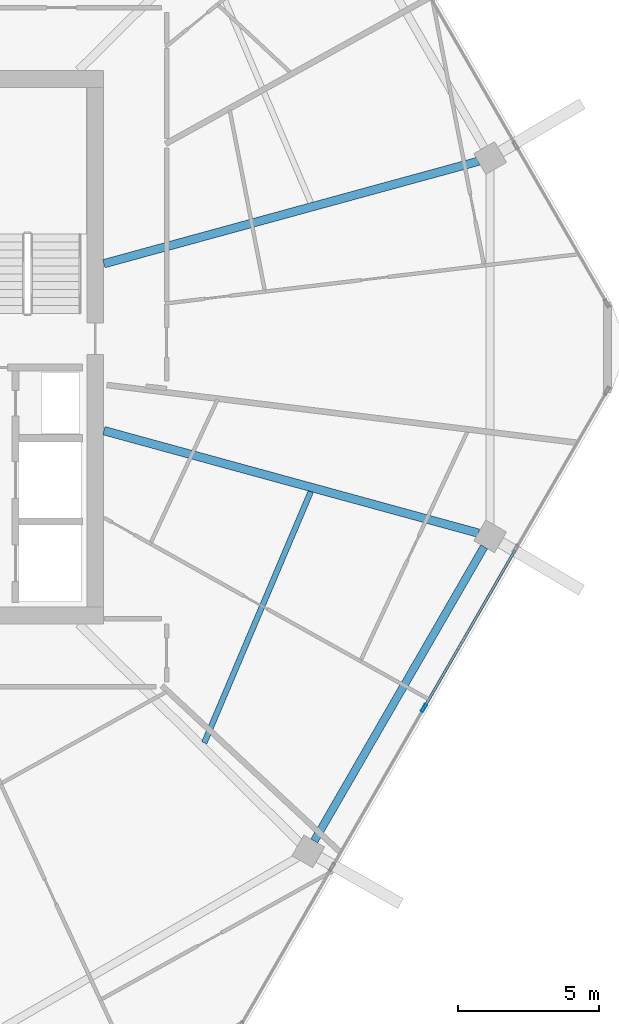
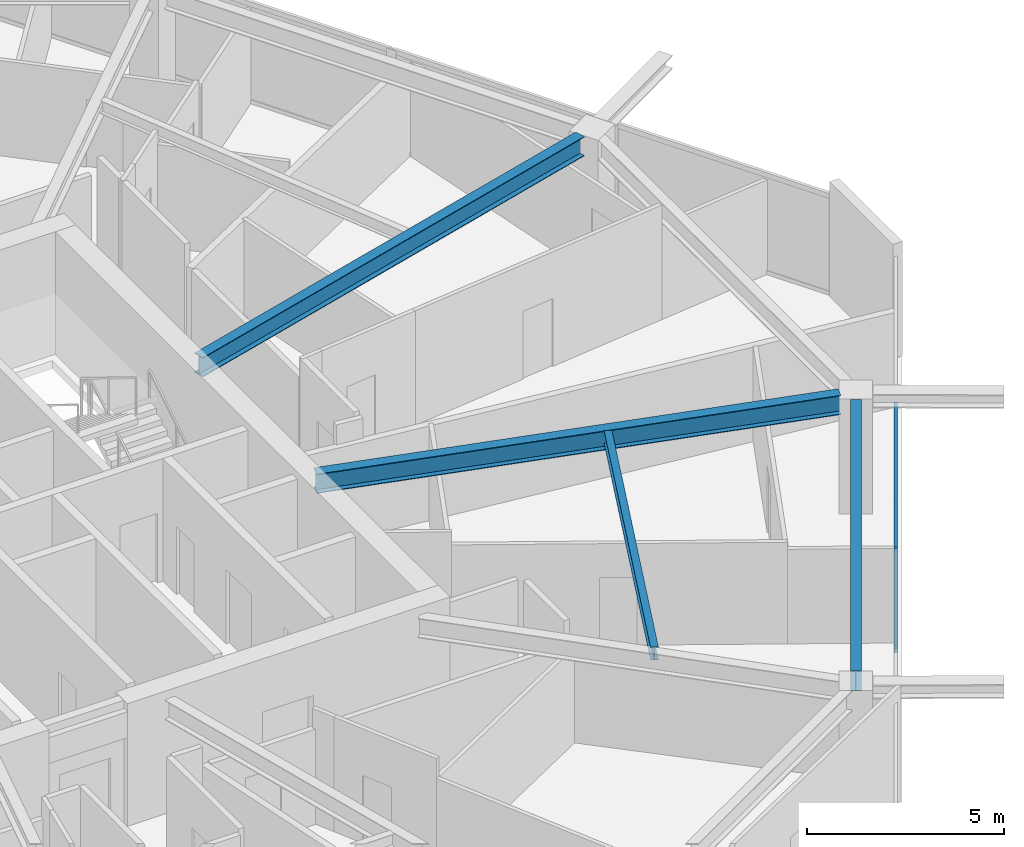
# One storey, part 9 of 27: 4 beams, 3 members, 1 element without a shape of its own.
"""IFC4 building model written with IfcOpenShell, lengths in metres."""

from ifc_helpers import new_model, si_unit, direction, frame, origin, origin_2d, place, context, subcontext, project, spatial, hollow_rectangle, i_section, extrude, material, material_profile, profile_set, type_object, element, aggregate, save


model = new_model("IFC4")

# Units and contexts
model_context = context("Model", 3, precision=1e-05, world=origin(), true_north=direction((0.0, 1.0)))
body_context = subcontext(model_context, "Body", "Model", "MODEL_VIEW")
ifc_project = project(units=[si_unit("LENGTHUNIT", "METRE"), si_unit("AREAUNIT", "SQUARE_METRE"), si_unit("VOLUMEUNIT", "CUBIC_METRE"), si_unit("PLANEANGLEUNIT", "RADIAN"), si_unit("MASSUNIT", "GRAM", prefix="KILO")], contexts=[model_context])

# Site, building, storey
site_placement = place(None, origin())
site = spatial("IfcSite", under=ifc_project, at=site_placement, CompositionType="ELEMENT")
building_placement = place(site_placement, origin())
building = spatial("IfcBuilding", under=site, at=building_placement, Name="Zuhravey Tower", CompositionType="ELEMENT")
storey_placement = place(building_placement, frame((0.0, 0.0, 265.39990234375)))
storey = spatial("IfcBuildingStorey", under=building, at=storey_placement, Name="L67", CompositionType="ELEMENT", Elevation=265.39990234375)

# Curtain wall, members
ifc_material_1 = material(Name="Thermally broken anodised aluminium", Category="aluminium")
curtain_wall_type = type_object("IfcCurtainWallType", Name="Zone 3-4 High-Rise Curtain Wall CW4", PredefinedType="NOTDEFINED", material=ifc_material_1)
curtain_wall_placement = place(storey_placement, origin())
curtain_wall = element("IfcCurtainWall", 1, at=curtain_wall_placement, inside=storey, type_object=curtain_wall_type, Name="L67 CW4 CW-L67-F6-1", PredefinedType="NOTDEFINED")
ifc_material_2 = material(Name="Anodised aluminium", Category="aluminium")
ifc_material_profile_1 = material_profile(ifc_material_2, hollow_rectangle(XDim=0.090087890625, YDim=0.284912109375, WallThickness=0.0048828125, at=origin_2d()), Name="ALU-RHS-90x285x5")
ifc_profile_set_1 = profile_set([ifc_material_profile_1], Name="Anodised aluminium")
member_type_1 = type_object("IfcMemberType", Name="Curtain-Wall Mullion 90x180", PredefinedType="MULLION", material=ifc_profile_set_1)
member_1_placement = place(storey_placement, frame((58.138671875, 19.21826171875, 0.0), z_axis=(0.0, 0.0, 1.0), x_axis=(0.866024851021, -0.500000957414, 0.0)))
member_1 = element("IfcMember", 2, at=member_1_placement, type_object=member_type_1, Name="CW4 mullion 3", PredefinedType="MULLION", context=body_context, shape_type="SweptSolid", body=[
    extrude(hollow_rectangle(XDim=0.090087890625, YDim=0.284912109375, WallThickness=0.0048828125, at=origin_2d()), origin(), (0.0, 0.0, 1.0), 3.1220703125),
])
ifc_material_profile_2 = material_profile(ifc_material_2, hollow_rectangle(XDim=0.090087890625, YDim=0.14990234375, WallThickness=0.0048828125, at=origin_2d()), Name="ALU-RHS-90x150x5")
ifc_profile_set_2 = profile_set([ifc_material_profile_2], Name="Anodised aluminium")
member_type_2 = type_object("IfcMemberType", Name="Curtain-Wall Transom 90x150", PredefinedType="USERDEFINED", material=ifc_profile_set_2)
member_2_placement = place(storey_placement, frame((61.369384765625, 24.81396484375, 0.045166015625), z_axis=(-0.499998017366, -0.866026548456, 0.0), x_axis=(0.866026548456, -0.499998017366, 0.0)))
member_2 = element("IfcMember", 3, at=member_2_placement, type_object=member_type_2, Name="CW4 transom 2.1", ObjectType="TRANSOM", PredefinedType="USERDEFINED", context=body_context, shape_type="SweptSolid", body=[
    extrude(hollow_rectangle(XDim=0.090087890625, YDim=0.14990234375, WallThickness=0.0048828125, at=origin_2d()), origin(), (0.0, 0.0, 1.0), 6.41650390625),
])
member_3_placement = place(storey_placement, frame((61.369384765625, 24.81396484375, 3.0771484375), z_axis=(-0.499998017366, -0.866026548456, 0.0), x_axis=(0.866026548456, -0.499998017366, 0.0)))
member_3 = element("IfcMember", 4, at=member_3_placement, type_object=member_type_2, Name="CW4 transom 2.2", ObjectType="TRANSOM", PredefinedType="USERDEFINED", context=body_context, shape_type="SweptSolid", body=[
    extrude(hollow_rectangle(XDim=0.090087890625, YDim=0.14990234375, WallThickness=0.0048828125, at=origin_2d()), origin(), (0.0, 0.0, 1.0), 6.41650390625),
])
aggregate(curtain_wall, [member_1, member_2, member_3])

# Beams
ifc_material_3 = material(Name="Steel SM355", Category="steel")
ifc_material_profile_3 = material_profile(ifc_material_3, i_section(OverallWidth=0.280029296875, OverallDepth=0.6201171875, WebThickness=0.011962890625, FlangeThickness=0.02001953125, at=origin_2d()), Name="H-620x280x12x20")
ifc_profile_set_3 = profile_set([ifc_material_profile_3], Name="Steel SM355")
beam_type_1 = type_object("IfcBeamType", Name="Perimeter Ring Beam H620x280", PredefinedType="BEAM", material=ifc_profile_set_3)
beam_1_placement = place(storey_placement, frame((54.257568359375, 14.515869140625, 3.239990234375), z_axis=(0.500005971936, 0.866021955858, 0.0), x_axis=(-0.866021955858, 0.500005971936, 0.0)))
element("IfcBeam", 5, at=beam_1_placement, inside=storey, type_object=beam_type_1, Name="L67 PB3 BM-L67-PB-11", PredefinedType="BEAM", context=body_context, shape_type="SweptSolid", body=[
    extrude(i_section(OverallWidth=0.280029296875, OverallDepth=0.6201171875, WebThickness=0.011962890625, FlangeThickness=0.02001953125, at=origin_2d()), origin(), (0.0, 0.0, 1.0), 12.025634765625),
])
ifc_material_profile_4 = material_profile(ifc_material_3, i_section(OverallWidth=0.300048828125, OverallDepth=0.60009765625, WebThickness=0.011962890625, FlangeThickness=0.02001953125, at=origin_2d()), Name="H-600x300x12x20")
ifc_profile_set_4 = profile_set([ifc_material_profile_4], Name="Steel SM355")
beam_type_2 = type_object("IfcBeamType", Name="Radial Primary Girder H600x300", PredefinedType="BEAM", material=ifc_profile_set_4)
for number, where, z_axis, x_axis, name in (
    (6, (46.802978515625, 34.95556640625, 3.25), (0.964549305009, 0.263902705947, 0.0), (-0.263902705947, 0.964549305009, 0.0), "L67 RG3 BM-L67-RAD-01"),
    (7, (46.802978515625, 29.04443359375, 3.25), (0.964549305009, -0.263902705947, 0.0), (0.263902705947, 0.964549305009, 0.0), "L67 RG3 BM-L67-RAD-12"),
):
    element("IfcBeam", number, at=place(storey_placement, frame(where, z_axis=z_axis, x_axis=x_axis)), inside=storey, type_object=beam_type_2, Name=name, PredefinedType="BEAM", context=body_context, shape_type="SweptSolid", body=[
        extrude(i_section(OverallWidth=0.300048828125, OverallDepth=0.60009765625, WebThickness=0.011962890625, FlangeThickness=0.02001953125, at=origin_2d()), origin(), (0.0, 0.0, 1.0), 13.756591796875),
    ])
ifc_material_profile_5 = material_profile(ifc_material_3, i_section(OverallWidth=0.199951171875, OverallDepth=0.39990234375, WebThickness=0.008056640625, FlangeThickness=0.012939453125, at=origin_2d()), Name="H-400x200x8x13")
ifc_profile_set_5 = profile_set([ifc_material_profile_5], Name="Steel SM355")
beam_type_3 = type_object("IfcBeamType", Name="Secondary Floor Joist H400x200", PredefinedType="JOIST", material=ifc_profile_set_5)
beam_2_placement = place(storey_placement, frame((50.36083984375, 17.990966796875, 3.35009765625), z_axis=(0.390413493754, 0.920639616731, 0.0), x_axis=(-0.920639616731, 0.390413493754, 0.0)))
element("IfcBeam", 8, at=beam_2_placement, inside=storey, type_object=beam_type_3, Name="L67 SJ2 BM-L67-SJ-11-1", PredefinedType="JOIST", context=body_context, shape_type="SweptSolid", body=[
    extrude(i_section(OverallWidth=0.199951171875, OverallDepth=0.39990234375, WebThickness=0.008056640625, FlangeThickness=0.012939453125, at=origin_2d()), origin(), (0.0, 0.0, 1.0), 9.656494140625),
])

save(model, "model.ifc")
